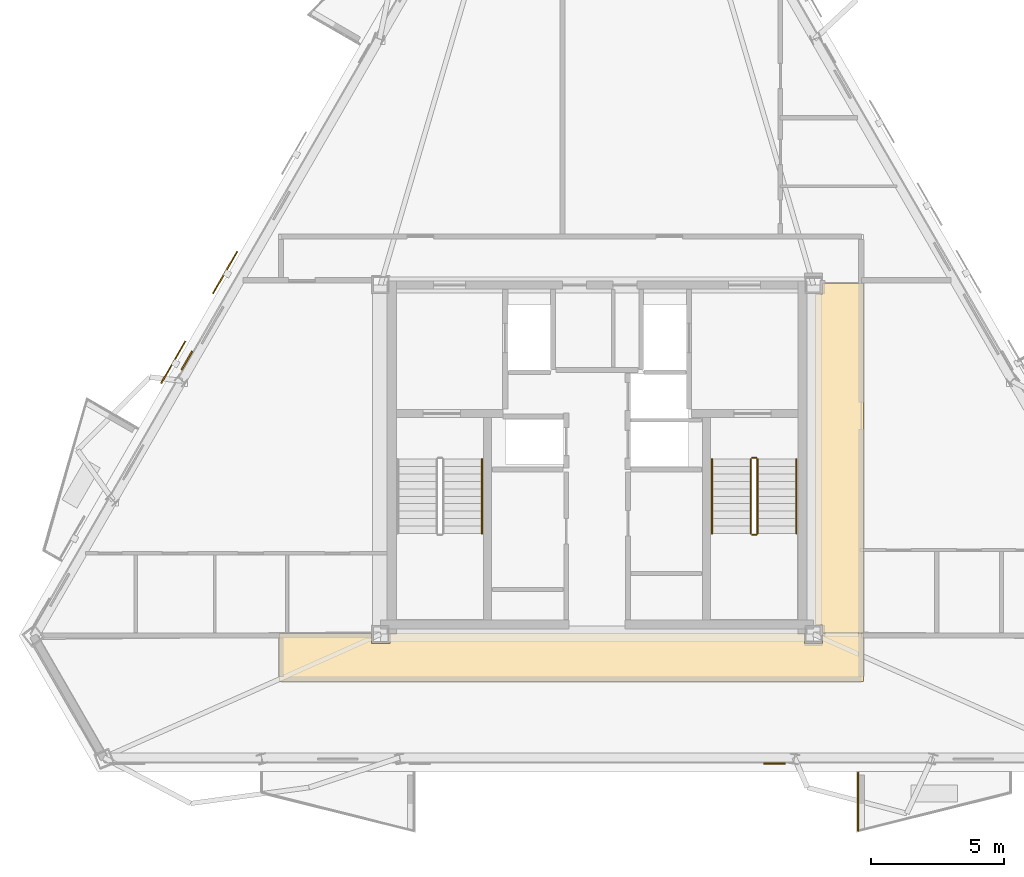
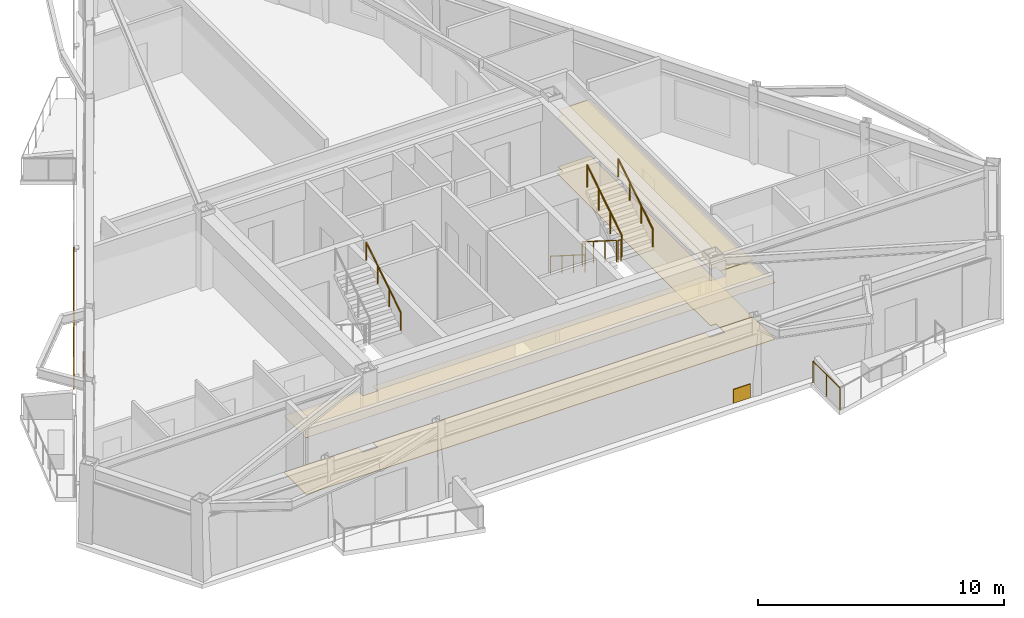
# One storey, part 7 of 9: 8 railings, 6 coverings, 2 shading devices.
"""IFC4 building model written with IfcOpenShell, lengths in metres."""

from ifc_helpers import new_model, si_unit, direction, frame, origin, origin_2d, place, context, subcontext, project, spatial, polyline, rectangle, circle, outline, extrude, material, layer, layer_set, type_object, element, save


model = new_model("IFC4")

# Units and contexts
model_context = context("Model", 3, precision=1e-05, world=origin(), true_north=direction((0.0, 1.0)))
body_context = subcontext(model_context, "Body", "Model", "MODEL_VIEW")
ifc_project = project(units=[si_unit("LENGTHUNIT", "METRE"), si_unit("AREAUNIT", "SQUARE_METRE"), si_unit("VOLUMEUNIT", "CUBIC_METRE"), si_unit("PLANEANGLEUNIT", "RADIAN"), si_unit("MASSUNIT", "GRAM", prefix="KILO")], contexts=[model_context])

# Site, building, storey
site_placement = place(None, origin())
site = spatial("IfcSite", under=ifc_project, at=site_placement, CompositionType="ELEMENT")
building_placement = place(site_placement, origin())
building = spatial("IfcBuilding", under=site, at=building_placement, Name="Oramaril Tower", CompositionType="ELEMENT")
storey_placement = place(building_placement, frame((0.0, 0.0, 253.800048828125)))
storey = spatial("IfcBuildingStorey", under=building, at=storey_placement, Name="L67", CompositionType="ELEMENT", Elevation=253.800048828125)

# Coverings
ifc_material_1 = material(Name="Mineral Fibre Acoustic Ceiling")
ifc_layer_1 = layer(ifc_material_1, 0.02001953125)
ifc_layer_set_1 = layer_set([ifc_layer_1], Name="CVT-CEIL")
covering_type_1 = type_object("IfcCoveringType", Name="CVT-CEIL", PredefinedType="CEILING", material=ifc_layer_set_1)
covering_1_placement = place(storey_placement, frame((0.0, 0.0, 2.81201171875)))
element("IfcCovering", 1, at=covering_1_placement, inside=storey, type_object=covering_type_1, Name="L67 Acoustic Suspended Ceiling 1", PredefinedType="CEILING", context=body_context, shape_type="SweptSolid", body=[
    extrude(outline(polyline([(29.0048828125, 10.655029296875), (29.695068359375, 10.655029296875), (29.695068359375, 11.030029296875), (45.304931640625, 11.030029296875), (45.304931640625, 10.655029296875), (45.9951171875, 10.655029296875), (45.9951171875, 11.030029296875), (47.530029296875, 11.030029296875), (47.530029296875, 9.219970703125), (25.52001953125, 9.219970703125), (25.52001953125, 11.030029296875), (29.0048828125, 11.030029296875), (29.0048828125, 10.655029296875)])), origin(), (0.0, 0.0, 1.0), 0.02001953125),
])
covering_2_placement = place(storey_placement, frame((0.0, 0.0, 2.81201171875)))
element("IfcCovering", 2, at=covering_2_placement, inside=storey, type_object=covering_type_1, Name="L67 Acoustic Suspended Ceiling 3", PredefinedType="CEILING", context=body_context, shape_type="SweptSolid", body=[
    extrude(outline(polyline([(47.530029296875, 11.050048828125), (45.9951171875, 11.050048828125), (45.9951171875, 11.344970703125), (45.719970703125, 11.344970703125), (45.719970703125, 23.804931640625), (45.9951171875, 23.804931640625), (45.9951171875, 24.219970703125), (47.530029296875, 24.219970703125), (47.530029296875, 11.050048828125)])), origin(), (0.0, 0.0, 1.0), 0.02001953125),
])
ifc_material_2 = material(Name="Warm Cream Limestone", Category="masonry")
ifc_layer_2 = layer(ifc_material_2, 0.050048828125)
ifc_layer_set_2 = layer_set([ifc_layer_2], Name="CVT-CLD")
covering_type_2 = type_object("IfcCoveringType", Name="CVT-CLD", PredefinedType="CLADDING", material=ifc_layer_set_2)
for number, where, z_axis, x_axis, name in (
    (3, (44.178466796875, 6.124267578125, 0.0400390625), (0.0, 0.0, 1.0), (1.0, 0.0, 0.0), "L67 Warm Cream Limestone Spandrel Cladding"),
    (4, (22.0576171875, 21.30419921875, 0.0400390625), (0.0, 0.0, 1.0), (-0.500001511499, -0.866024531118, 0.0), "L67 Warm Cream Limestone Spandrel Cladding"),
):
    element("IfcCovering", number, at=place(storey_placement, frame(where, z_axis=z_axis, x_axis=x_axis)), inside=storey, type_object=covering_type_2, Name=name, PredefinedType="CLADDING", context=body_context, shape_type="SweptSolid", body=[
        extrude(rectangle(XDim=0.800048828125, YDim=0.050048828125, at=origin_2d()), origin(), (0.0, 0.0, 1.0), 0.679931640625),
    ])
ifc_material_3 = material(Name="Honed Quartzite Stone Flooring", Category="masonry")
ifc_layer_3 = layer(ifc_material_3, 0.02490234375)
ifc_layer_set_3 = layer_set([ifc_layer_3], Name="CVT-FLR")
covering_type_3 = type_object("IfcCoveringType", Name="CVT-FLR", PredefinedType="FLOORING", material=ifc_layer_set_3)
covering_3_placement = place(storey_placement, origin())
element("IfcCovering", 5, at=covering_3_placement, inside=storey, type_object=covering_type_3, Name="L67 Honed Stone Floor Finish 1", PredefinedType="FLOORING", context=body_context, shape_type="SweptSolid", body=[
    extrude(outline(polyline([(29.0048828125, 10.655029296875), (29.695068359375, 10.655029296875), (29.695068359375, 11.030029296875), (45.304931640625, 11.030029296875), (45.304931640625, 10.655029296875), (45.9951171875, 10.655029296875), (45.9951171875, 11.030029296875), (47.530029296875, 11.030029296875), (47.530029296875, 9.219970703125), (25.52001953125, 9.219970703125), (25.52001953125, 11.030029296875), (29.0048828125, 11.030029296875), (29.0048828125, 10.655029296875)])), origin(), (0.0, 0.0, 1.0), 0.02490234375),
])
covering_4_placement = place(storey_placement, origin())
element("IfcCovering", 6, at=covering_4_placement, inside=storey, type_object=covering_type_3, Name="L67 Honed Stone Floor Finish 3", PredefinedType="FLOORING", context=body_context, shape_type="SweptSolid", body=[
    extrude(outline(polyline([(47.530029296875, 11.050048828125), (45.9951171875, 11.050048828125), (45.9951171875, 11.344970703125), (45.719970703125, 11.344970703125), (45.719970703125, 23.804931640625), (45.9951171875, 23.804931640625), (45.9951171875, 24.219970703125), (47.530029296875, 24.219970703125), (47.530029296875, 11.050048828125)])), origin(), (0.0, 0.0, 1.0), 0.02490234375),
])

# Railings
ifc_material_4 = material(Name="Stainless Steel 316L", Category="steel")
railing_type_1 = type_object("IfcRailingType", Name="RLT-GRD", PredefinedType="GUARDRAIL", material=ifc_material_4)
railing_1_placement = place(storey_placement, frame((47.32666015625, 3.59228515625, 0.0)))
element("IfcRailing", 7, at=railing_1_placement, inside=storey, type_object=railing_type_1, Name="L67 Balcony Guardrail L67-BAL-S2.3", PredefinedType="GUARDRAIL", context=body_context, shape_type="SweptSolid", body=[
    extrude(circle(Radius=0.02392578125, at=origin_2d()), frame((0.0, 0.0, 1.076171875), z_axis=(0.0, 1.0, 0.0), x_axis=(-1.0, 0.0, 0.0)), (0.0, 0.0, 1.0), 2.19189453125),
    extrude(circle(Radius=0.02099609375, at=origin_2d()), origin(), (0.0, 0.0, 1.0), 1.052001953125),
    extrude(circle(Radius=0.02099609375, at=origin_2d()), frame((0.0, 1.095947265625, 0.0)), (0.0, 0.0, 1.0), 1.052001953125),
    extrude(circle(Radius=0.02099609375, at=origin_2d()), frame((0.0, 2.19189453125, 0.0)), (0.0, 0.0, 1.0), 1.052001953125),
])
railing_2_placement = place(storey_placement, frame((43.2900390625, 17.590087890625, 0.17724609375)))
element("IfcRailing", 8, at=railing_2_placement, inside=storey, type_object=railing_type_1, Name="L67 ST-2 stair guard 1", PredefinedType="GUARDRAIL", context=body_context, shape_type="SweptSolid", body=[
    extrude(circle(Radius=0.02392578125, at=origin_2d()), frame((0.0, 0.0, 1.076171875), z_axis=(0.0, -0.844908973607, 0.534910110503), x_axis=(1.0, 0.0, 0.0)), (0.0, 0.0, 1.0), 3.31396484375),
    extrude(circle(Radius=0.02099609375, at=origin_2d()), origin(), (0.0, 0.0, 1.0), 1.052001953125),
    extrude(circle(Radius=0.02099609375, at=origin_2d()), frame((0.0, -0.933349609375, 0.5908203125)), (0.0, 0.0, 1.0), 1.052001953125),
    extrude(circle(Radius=0.02099609375, at=origin_2d()), frame((0.0, -1.86669921875, 1.181884765625)), (0.0, 0.0, 1.0), 1.052001953125),
    extrude(circle(Radius=0.02099609375, at=origin_2d()), frame((0.0, -2.800048828125, 1.772705078125)), (0.0, 0.0, 1.0), 1.052001953125),
])
railing_3_placement = place(storey_placement, frame((43.340087890625, 14.739990234375, 1.949951171875)))
element("IfcRailing", 9, at=railing_3_placement, inside=storey, type_object=railing_type_1, Name="L67 ST-2 stair guard 2", PredefinedType="GUARDRAIL", context=body_context, shape_type="SweptSolid", body=[
    extrude(circle(Radius=0.02392578125, at=origin_2d()), frame((0.0, 0.0, 1.076171875), z_axis=(1.0, 0.0, 0.0), x_axis=(0.0, 1.0, 0.0)), (0.0, 0.0, 1.0), 0.14990234375),
    extrude(circle(Radius=0.02099609375, at=origin_2d()), origin(), (0.0, 0.0, 1.0), 1.052001953125),
    extrude(circle(Radius=0.02099609375, at=origin_2d()), frame((0.14990234375, 0.0, 0.0)), (0.0, 0.0, 1.0), 1.052001953125),
])
railing_4_placement = place(storey_placement, frame((43.5400390625, 14.7900390625, 2.127197265625)))
element("IfcRailing", 10, at=railing_4_placement, inside=storey, type_object=railing_type_1, Name="L67 ST-2 stair guard 3", PredefinedType="GUARDRAIL", context=body_context, shape_type="SweptSolid", body=[
    extrude(circle(Radius=0.02392578125, at=origin_2d()), frame((0.0, 0.0, 1.076171875), z_axis=(0.0, 0.844908973607, 0.534910110503), x_axis=(-1.0, 0.0, 0.0)), (0.0, 0.0, 1.0), 3.31396484375),
    extrude(circle(Radius=0.02099609375, at=origin_2d()), origin(), (0.0, 0.0, 1.0), 1.052001953125),
    extrude(circle(Radius=0.02099609375, at=origin_2d()), frame((0.0, 0.933349609375, 0.5908203125)), (0.0, 0.0, 1.0), 1.052001953125),
    extrude(circle(Radius=0.02099609375, at=origin_2d()), frame((0.0, 1.86669921875, 1.181884765625)), (0.0, 0.0, 1.0), 1.052001953125),
    extrude(circle(Radius=0.02099609375, at=origin_2d()), frame((0.0, 2.800048828125, 1.772705078125)), (0.0, 0.0, 1.0), 1.052001953125),
])
railing_5_placement = place(storey_placement, frame((43.340087890625, 17.639892578125, 0.0)))
element("IfcRailing", 11, at=railing_5_placement, inside=storey, type_object=railing_type_1, Name="L67 ST-2 stair guard 4", PredefinedType="GUARDRAIL", context=body_context, shape_type="SweptSolid", body=[
    extrude(circle(Radius=0.02392578125, at=origin_2d()), frame((0.0, 0.0, 1.076171875), z_axis=(1.0, 0.0, 0.0), x_axis=(0.0, 1.0, 0.0)), (0.0, 0.0, 1.0), 0.14990234375),
    extrude(circle(Radius=0.02099609375, at=origin_2d()), origin(), (0.0, 0.0, 1.0), 1.052001953125),
    extrude(circle(Radius=0.02099609375, at=origin_2d()), frame((0.14990234375, 0.0, 0.0)), (0.0, 0.0, 1.0), 1.052001953125),
])
ifc_material_5 = material(Name="Stainless Steel 316L", Category="steel")
railing_type_2 = type_object("IfcRailingType", Name="RLT-HND", PredefinedType="HANDRAIL", material=ifc_material_5)
railing_6_placement = place(storey_placement, frame((33.169921875, 14.7900390625, 2.127197265625)))
element("IfcRailing", 12, at=railing_6_placement, inside=storey, type_object=railing_type_2, Name="L67 ST-1 stair handrail 2", PredefinedType="HANDRAIL", context=body_context, shape_type="SweptSolid", body=[
    extrude(circle(Radius=0.02392578125, at=origin_2d()), frame((0.0, 0.0, 0.8759765625), z_axis=(0.0, 0.844908973607, 0.534910110503), x_axis=(-1.0, 0.0, 0.0)), (0.0, 0.0, 1.0), 3.31396484375),
    extrude(circle(Radius=0.02099609375, at=origin_2d()), origin(), (0.0, 0.0, 1.0), 0.851806640625),
    extrude(circle(Radius=0.02099609375, at=origin_2d()), frame((0.0, 0.933349609375, 0.5908203125)), (0.0, 0.0, 1.0), 0.851806640625),
    extrude(circle(Radius=0.02099609375, at=origin_2d()), frame((0.0, 1.86669921875, 1.181884765625)), (0.0, 0.0, 1.0), 0.851806640625),
    extrude(circle(Radius=0.02099609375, at=origin_2d()), frame((0.0, 2.800048828125, 1.772705078125)), (0.0, 0.0, 1.0), 0.851806640625),
])
railing_7_placement = place(storey_placement, frame((41.830078125, 17.590087890625, 0.17724609375)))
element("IfcRailing", 13, at=railing_7_placement, inside=storey, type_object=railing_type_2, Name="L67 ST-2 stair handrail 1", PredefinedType="HANDRAIL", context=body_context, shape_type="SweptSolid", body=[
    extrude(circle(Radius=0.02392578125, at=origin_2d()), frame((0.0, 0.0, 0.8759765625), z_axis=(0.0, -0.844908973607, 0.534910110503), x_axis=(1.0, 0.0, 0.0)), (0.0, 0.0, 1.0), 3.31396484375),
    extrude(circle(Radius=0.02099609375, at=origin_2d()), origin(), (0.0, 0.0, 1.0), 0.851806640625),
    extrude(circle(Radius=0.02099609375, at=origin_2d()), frame((0.0, -0.933349609375, 0.5908203125)), (0.0, 0.0, 1.0), 0.851806640625),
    extrude(circle(Radius=0.02099609375, at=origin_2d()), frame((0.0, -1.86669921875, 1.181884765625)), (0.0, 0.0, 1.0), 0.851806640625),
    extrude(circle(Radius=0.02099609375, at=origin_2d()), frame((0.0, -2.800048828125, 1.772705078125)), (0.0, 0.0, 1.0), 0.851806640625),
])
railing_8_placement = place(storey_placement, frame((45.0, 14.7900390625, 2.127197265625)))
element("IfcRailing", 14, at=railing_8_placement, inside=storey, type_object=railing_type_2, Name="L67 ST-2 stair handrail 2", PredefinedType="HANDRAIL", context=body_context, shape_type="SweptSolid", body=[
    extrude(circle(Radius=0.02392578125, at=origin_2d()), frame((0.0, 0.0, 0.8759765625), z_axis=(0.0, 0.844908973607, 0.534910110503), x_axis=(-1.0, 0.0, 0.0)), (0.0, 0.0, 1.0), 3.31396484375),
    extrude(circle(Radius=0.02099609375, at=origin_2d()), origin(), (0.0, 0.0, 1.0), 0.851806640625),
    extrude(circle(Radius=0.02099609375, at=origin_2d()), frame((0.0, 0.933349609375, 0.5908203125)), (0.0, 0.0, 1.0), 0.851806640625),
    extrude(circle(Radius=0.02099609375, at=origin_2d()), frame((0.0, 1.86669921875, 1.181884765625)), (0.0, 0.0, 1.0), 0.851806640625),
    extrude(circle(Radius=0.02099609375, at=origin_2d()), frame((0.0, 2.800048828125, 1.772705078125)), (0.0, 0.0, 1.0), 0.851806640625),
])

# Shading devices
for number, where, z_axis, x_axis, name in (
    (15, (23.494384765625, 24.616943359375, -0.02001953125), (0.0, 0.0, 1.0), (-0.500001511499, -0.866024531118, 0.0), "L67 Perforated Ceramic Solar Screen"),
    (16, (21.54443359375, 21.239501953125, -0.02001953125), (0.0, 0.0, 1.0), (-0.500001511499, -0.866024531118, 0.0), "L67 Perforated Ceramic Solar Screen"),
):
    element("IfcShadingDevice", number, at=place(storey_placement, frame(where, z_axis=z_axis, x_axis=x_axis)), inside=storey, Name=name, ObjectType="SCREEN", PredefinedType="USERDEFINED", context=body_context, shape_type="SweptSolid", body=[
        extrude(rectangle(XDim=1.8330078125, YDim=0.050048828125, at=origin_2d()), origin(), (0.0, 0.0, 1.0), 3.05810546875),
    ])

save(model, "model.ifc")
